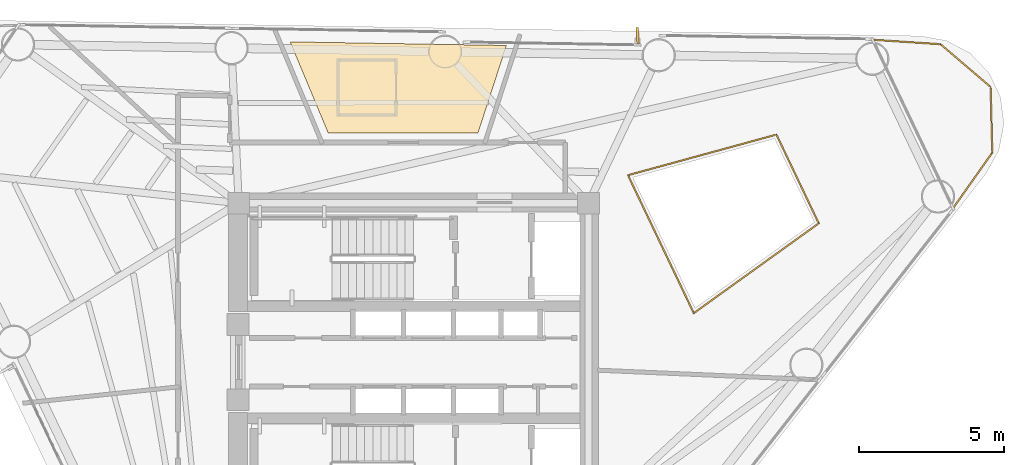
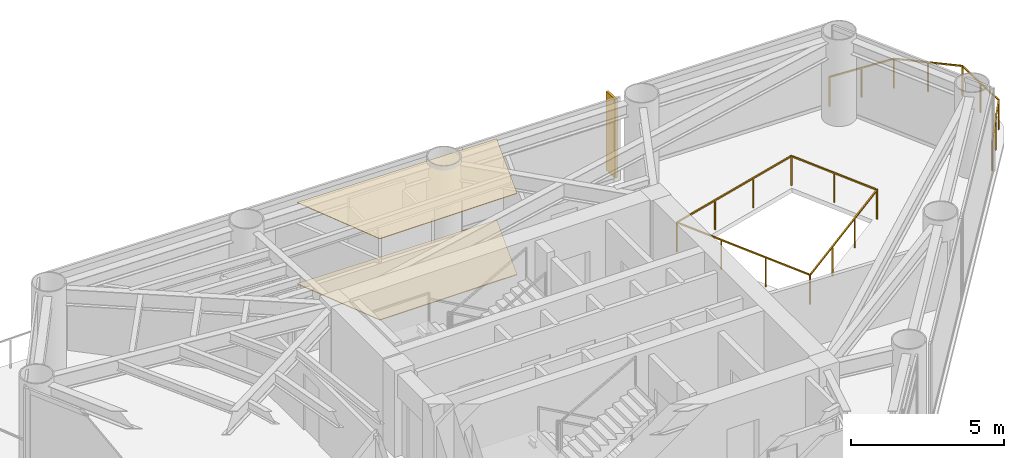
# One storey, part 9 of 9: 2 coverings, 2 railings, 1 shading device.
"""IFC4 building model written with IfcOpenShell, lengths in metres."""

from ifc_helpers import new_model, si_unit, direction, frame, origin, origin_2d, place, context, subcontext, project, spatial, polyline, rectangle, outline, extrude, source, transform, mapped, material, layer, layer_set, material_profile, profile_set, type_object, element, save


model = new_model("IFC4")

# Units and contexts
model_context = context("Model", 3, precision=1e-05, world=origin(), true_north=direction((0.0, 1.0)))
body_context = subcontext(model_context, "Body", "Model", "MODEL_VIEW")
ifc_project = project(units=[si_unit("LENGTHUNIT", "METRE"), si_unit("AREAUNIT", "SQUARE_METRE"), si_unit("VOLUMEUNIT", "CUBIC_METRE"), si_unit("PLANEANGLEUNIT", "RADIAN"), si_unit("MASSUNIT", "GRAM", prefix="KILO")], contexts=[model_context])

# Site, building, storey
site_placement = place(None, origin())
site = spatial("IfcSite", under=ifc_project, at=site_placement, CompositionType="ELEMENT")
building_placement = place(site_placement, origin())
building = spatial("IfcBuilding", under=site, at=building_placement, Name="Yunling Apex Tower", CompositionType="ELEMENT")
storey_placement = place(building_placement, frame((0.0, 0.0, 212.14990234375)))
storey = spatial("IfcBuildingStorey", under=building, at=storey_placement, Name="L52", CompositionType="ELEMENT", Elevation=212.14990234375)

# Coverings
ifc_material_1 = material(Name="Acoustic mineral fibre ceiling")
ifc_layer_1 = layer(ifc_material_1, 0.02490234375)
ifc_layer_set_1 = layer_set([ifc_layer_1], Name="Acoustic mineral fibre ceiling")
covering_type_1 = type_object("IfcCoveringType", Name="CV-CLG-1", PredefinedType="CEILING", material=ifc_layer_set_1)
covering_1_placement = place(storey_placement, frame((0.0, 0.0, 3.2451171875)))
element("IfcCovering", 1, at=covering_1_placement, inside=storey, type_object=covering_type_1, Name="CV-CL-SP-L52-GR06", PredefinedType="CEILING", context=body_context, shape_type="SweptSolid", body=[
    extrude(outline(polyline([(3.212890625, 10.9560546875), (2.229736328125, 7.929931640625), (-2.9541015625, 7.929931640625), (-4.2705078125, 11.08154296875), (3.212890625, 10.9560546875)])), origin(), (0.0, 0.0, 1.0), 0.02490234375),
])
ifc_material_2 = material(Name="Polished granite stone", Category="masonry")
ifc_layer_2 = layer(ifc_material_2, 0.030029296875)
ifc_layer_set_2 = layer_set([ifc_layer_2], Name="Polished granite stone")
covering_type_2 = type_object("IfcCoveringType", Name="CV-FLR-1", PredefinedType="FLOORING", material=ifc_layer_set_2)
covering_2_placement = place(storey_placement, origin())
element("IfcCovering", 2, at=covering_2_placement, inside=storey, type_object=covering_type_2, Name="CV-FL-SP-L52-GR06", PredefinedType="FLOORING", context=body_context, shape_type="SweptSolid", body=[
    extrude(outline(polyline([(3.212890625, 10.9560546875), (2.229736328125, 7.929931640625), (-2.9541015625, 7.929931640625), (-4.2705078125, 11.08154296875), (3.212890625, 10.9560546875)])), origin(), (0.0, 0.0, 1.0), 0.030029296875),
])

# Railings
ifc_material_3 = material(Name="Bronze anodised aluminium", Category="aluminium")
railing_type = type_object("IfcRailingType", Name="RL-BAL-1200", PredefinedType="BALUSTRADE", material=ifc_material_3)
railing_1_placement = place(storey_placement, frame((15.8828125, 11.15380859375, 0.0)))
element("IfcRailing", 3, at=railing_1_placement, inside=storey, type_object=railing_type, Name="RL-CRNSILL-L52-1", PredefinedType="BALUSTRADE", context=body_context, shape_type="SweptSolid", body=[
    extrude(rectangle(XDim=0.0439453125, YDim=0.0439453125, at=origin_2d()), origin(), (0.0, 0.0, 1.0), 1.199951171875),
    extrude(rectangle(XDim=0.0439453125, YDim=0.0439453125, at=origin_2d()), frame((2.349365234375, -0.154541015625, 0.0)), (0.0, 0.0, 1.0), 1.199951171875),
    extrude(rectangle(XDim=0.050048828125, YDim=0.050048828125, at=origin_2d()), frame((0.038330078125, -0.00244140625, 1.1748046875), z_axis=(0.997843498088, -0.065638047832, 0.0), x_axis=(0.065638047832, 0.997843498088, 0.0)), (0.0, 0.0, 1.0), 2.27783203125),
    extrude(rectangle(XDim=0.0439453125, YDim=0.0439453125, at=origin_2d()), frame((1.1748046875, -0.0771484375, 0.0)), (0.0, 0.0, 1.0), 1.14599609375),
    extrude(rectangle(XDim=0.0439453125, YDim=0.0439453125, at=origin_2d()), frame((4.080322265625, -1.6318359375, 0.0)), (0.0, 0.0, 1.0), 1.199951171875),
    extrude(rectangle(XDim=0.050048828125, YDim=0.050048828125, at=origin_2d()), frame((2.37841796875, -0.179443359375, 1.1748046875), z_axis=(0.760640732553, -0.6491730709, 0.0), x_axis=(0.6491730709, 0.760640732553, 0.0)), (0.0, 0.0, 1.0), 2.198974609375),
    extrude(rectangle(XDim=0.0439453125, YDim=0.0439453125, at=origin_2d()), frame((3.21484375, -0.89306640625, 0.0)), (0.0, 0.0, 1.0), 1.14599609375),
    extrude(rectangle(XDim=0.0439453125, YDim=0.0439453125, at=origin_2d()), frame((4.138916015625, -3.90673828125, 0.0)), (0.0, 0.0, 1.0), 1.199951171875),
    extrude(rectangle(XDim=0.050048828125, YDim=0.050048828125, at=origin_2d()), frame((4.081298828125, -1.670166015625, 1.1748046875), z_axis=(0.025748060881, -0.999668463722, 0.0), x_axis=(0.999668463722, 0.025748060881, 0.0)), (0.0, 0.0, 1.0), 2.198974609375),
    extrude(rectangle(XDim=0.0439453125, YDim=0.0439453125, at=origin_2d()), frame((4.109619140625, -2.769287109375, 0.0)), (0.0, 0.0, 1.0), 1.14599609375),
    extrude(rectangle(XDim=0.0439453125, YDim=0.0439453125, at=origin_2d()), frame((2.78076171875, -5.829833984375, 0.0)), (0.0, 0.0, 1.0), 1.199951171875),
    extrude(rectangle(XDim=0.050048828125, YDim=0.050048828125, at=origin_2d()), frame((4.11669921875, -3.93798828125, 1.1748046875), z_axis=(-0.57687453298, -0.81683276942, 0.0), x_axis=(0.81683276942, -0.57687453298, 0.0)), (0.0, 0.0, 1.0), 2.277587890625),
    extrude(rectangle(XDim=0.0439453125, YDim=0.0439453125, at=origin_2d()), frame((3.4599609375, -4.8681640625, 0.0)), (0.0, 0.0, 1.0), 1.14599609375),
])
railing_2_placement = place(storey_placement, frame((7.41845703125, 6.46728515625, 0.0)))
element("IfcRailing", 4, at=railing_2_placement, inside=storey, type_object=railing_type, Name="RL-TATR-L52", PredefinedType="BALUSTRADE", context=body_context, shape_type="SweptSolid", body=[
    extrude(rectangle(XDim=0.0439453125, YDim=0.0439453125, at=origin_2d()), origin(), (0.0, 0.0, 1.0), 1.199951171875),
    extrude(rectangle(XDim=0.0439453125, YDim=0.0439453125, at=origin_2d()), frame((5.135498046875, 1.404541015625, 0.0)), (0.0, 0.0, 1.0), 1.199951171875),
    extrude(rectangle(XDim=0.050048828125, YDim=0.050048828125, at=origin_2d()), frame((0.036865234375, 0.010009765625, 1.1748046875), z_axis=(0.964575212807, 0.263807996162, 0.0), x_axis=(-0.263807996162, 0.964575212807, 0.0)), (0.0, 0.0, 1.0), 5.24755859375),
    extrude(rectangle(XDim=0.0439453125, YDim=0.0439453125, at=origin_2d()), frame((1.7119140625, 0.46826171875, 0.0)), (0.0, 0.0, 1.0), 1.14599609375),
    extrude(rectangle(XDim=0.0439453125, YDim=0.0439453125, at=origin_2d()), frame((3.423583984375, 0.936279296875, 0.0)), (0.0, 0.0, 1.0), 1.14599609375),
    extrude(rectangle(XDim=0.0439453125, YDim=0.0439453125, at=origin_2d()), frame((6.599609375, -1.664794921875, 0.0)), (0.0, 0.0, 1.0), 1.199951171875),
    extrude(rectangle(XDim=0.050048828125, YDim=0.050048828125, at=origin_2d()), frame((5.152099609375, 1.369873046875, 1.1748046875), z_axis=(0.430538211034, -0.902572351028, 0.0), x_axis=(0.902572351028, 0.430538211034, 0.0)), (0.0, 0.0, 1.0), 3.323974609375),
    extrude(rectangle(XDim=0.0439453125, YDim=0.0439453125, at=origin_2d()), frame((5.86767578125, -0.130126953125, 0.0)), (0.0, 0.0, 1.0), 1.14599609375),
    extrude(rectangle(XDim=0.0439453125, YDim=0.0439453125, at=origin_2d()), frame((2.276123046875, -4.77197265625, 0.0)), (0.0, 0.0, 1.0), 1.199951171875),
    extrude(rectangle(XDim=0.050048828125, YDim=0.050048828125, at=origin_2d()), frame((6.568603515625, -1.687255859375, 1.1748046875), z_axis=(-0.812044572196, -0.583595418733, 0.0), x_axis=(0.583595418733, -0.812044572196, 0.0)), (0.0, 0.0, 1.0), 5.24755859375),
    extrude(rectangle(XDim=0.0439453125, YDim=0.0439453125, at=origin_2d()), frame((5.158447265625, -2.700439453125, 0.0)), (0.0, 0.0, 1.0), 1.14599609375),
    extrude(rectangle(XDim=0.0439453125, YDim=0.0439453125, at=origin_2d()), frame((3.71728515625, -3.736328125, 0.0)), (0.0, 0.0, 1.0), 1.14599609375),
    extrude(rectangle(XDim=0.050048828125, YDim=0.050048828125, at=origin_2d()), frame((2.259521484375, -4.7373046875, 1.1748046875), z_axis=(-0.430512460038, 0.902584634121, 0.0), x_axis=(-0.902584634121, -0.430512460038, 0.0)), (0.0, 0.0, 1.0), 5.21044921875),
    extrude(rectangle(XDim=0.0439453125, YDim=0.0439453125, at=origin_2d()), frame((1.517333984375, -3.181396484375, 0.0)), (0.0, 0.0, 1.0), 1.14599609375),
    extrude(rectangle(XDim=0.0439453125, YDim=0.0439453125, at=origin_2d()), frame((0.7587890625, -1.590576171875, 0.0)), (0.0, 0.0, 1.0), 1.14599609375),
])

# Shading device
ifc_material_profile = material_profile(ifc_material_3, rectangle(XDim=0.0849609375, YDim=0.550048828125, at=origin_2d()))
ifc_profile_set = profile_set([ifc_material_profile], Name="Bronze anodised aluminium")
shading_device_type = type_object("IfcShadingDeviceType", Name="FN-BRZ-3", PredefinedType="USERDEFINED", material=ifc_profile_set)
shared_shape = source(origin(), body_context, "Body", "SweptSolid", [
    extrude(rectangle(XDim=0.0849609375, YDim=0.550048828125, at=origin_2d()), origin(), (0.0, 0.0, 1.0), 3.14990234375),
])
shading_device_placement = place(storey_placement, frame((7.75341796875, 11.30517578125, 0.06005859375), z_axis=(0.0, 0.0, 1.0), x_axis=(-0.998814648022, -0.048675444496, 0.0)))
element("IfcShadingDevice", 5, at=shading_device_placement, inside=storey, type_object=shading_device_type, Name="CW-L52-F2-B2-FIN-01", ObjectType="FIN", PredefinedType="USERDEFINED", context=body_context, shape_type="MappedRepresentation", body=[
    mapped(shared_shape, transform((0.0, 0.0, 0.0), scale=1.0)),
])

save(model, "model.ifc")
